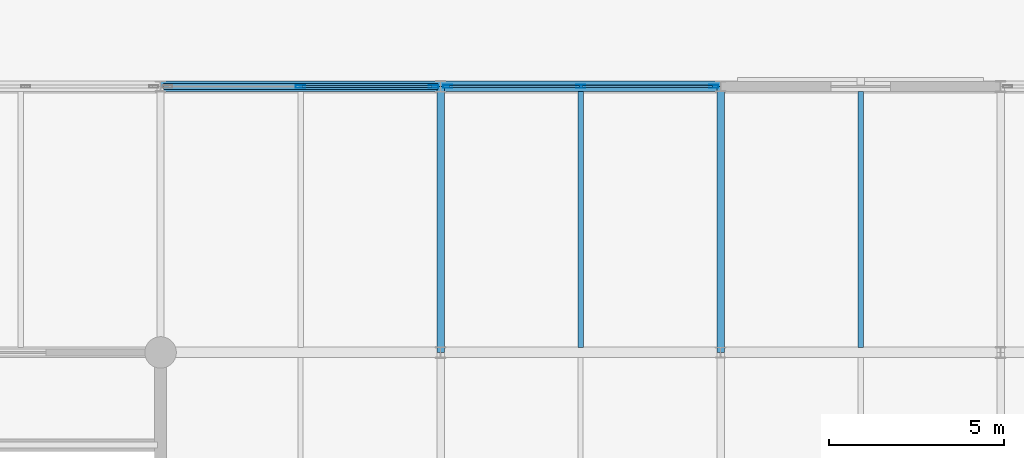
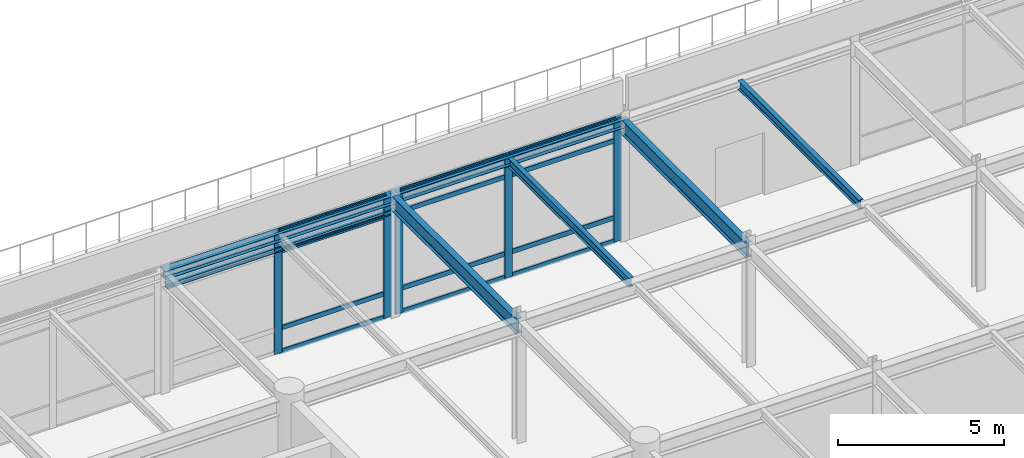
# One storey, part 26 of 43: 17 members, 7 beams, 2 elements without a shape of their own.
"""IFC4 building model written with IfcOpenShell, lengths in metres."""

from ifc_helpers import new_model, si_unit, direction, frame, origin, origin_2d, place, context, subcontext, project, spatial, hollow_rectangle, i_section, extrude, material, layer, layer_set, material_profile, profile_set, type_object, element, aggregate, save


model = new_model("IFC4")

# Units and contexts
model_context = context("Model", 3, precision=1e-05, world=origin(), true_north=direction((0.0, 1.0)))
body_context = subcontext(model_context, "Body", "Model", "MODEL_VIEW")
ifc_project = project(units=[si_unit("LENGTHUNIT", "METRE"), si_unit("AREAUNIT", "SQUARE_METRE"), si_unit("VOLUMEUNIT", "CUBIC_METRE"), si_unit("PLANEANGLEUNIT", "RADIAN"), si_unit("MASSUNIT", "GRAM", prefix="KILO")], contexts=[model_context])

# Site, building, storey
site_placement = place(None, origin())
site = spatial("IfcSite", under=ifc_project, at=site_placement, CompositionType="ELEMENT")
building_placement = place(site_placement, origin())
building = spatial("IfcBuilding", under=site, at=building_placement, Name="Shalkamar Park Central Library", CompositionType="ELEMENT")
storey_placement = place(building_placement, frame((0.0, 0.0, 15.60009765625)))
storey = spatial("IfcBuildingStorey", under=building, at=storey_placement, Name="L04", CompositionType="ELEMENT", Elevation=15.60009765625)

# Beams
ifc_material_1 = material(Name="Steel S355", Category="steel")
ifc_material_profile_1 = material_profile(ifc_material_1, i_section(OverallWidth=0.159912109375, OverallDepth=0.330078125, WebThickness=0.007568359375, FlangeThickness=0.011474609375, FilletRadius=0.01806640625, at=origin_2d()), Name="IPE 330")
ifc_profile_set_1 = profile_set([ifc_material_profile_1], Name="Steel S355")
beam_type_1 = type_object("IfcBeamType", Name="Composite Floor Joist IPE330", PredefinedType="JOIST", material=ifc_profile_set_1)
for number, where, z_axis, x_axis, name in (
    (1, (217.0, 308.548095703125, 4.31494140625), (0.0, 1.0, 0.0), (-1.0, 0.0, 0.0), "Composite Joist 13/K-1 (L04)"),
    (2, (225.0, 308.548095703125, 4.385009765625), (0.0, 1.0, 0.0), (-1.0, 0.0, 0.0), "Composite Joist 14/K-1 (L04)"),
):
    element("IfcBeam", number, at=place(storey_placement, frame(where, z_axis=z_axis, x_axis=x_axis)), inside=storey, type_object=beam_type_1, Name=name, PredefinedType="JOIST", context=body_context, shape_type="SweptSolid", body=[
        extrude(i_section(OverallWidth=0.159912109375, OverallDepth=0.330078125, WebThickness=0.007568359375, FlangeThickness=0.011474609375, FilletRadius=0.01806640625, at=origin_2d()), origin(), (0.0, 0.0, 1.0), 7.303955078125),
    ])

# Curtain wall, members
ifc_material_2 = material(Name="Thermally broken aluminium and triple low-e curtain wall", Category="aluminium")
ifc_layer_1 = layer(ifc_material_2, 0.27001953125)
ifc_layer_set_1 = layer_set([ifc_layer_1], Name="UnitisedCurtainWall_58")
curtain_wall_type_1 = type_object("IfcCurtainWallType", Name="Unitised Curtain Wall 58", PredefinedType="USERDEFINED", material=ifc_layer_set_1)
curtain_wall_1_placement = place(storey_placement, origin())
curtain_wall_1 = element("IfcCurtainWall", 3, at=curtain_wall_1_placement, inside=storey, type_object=curtain_wall_type_1, Name="Unitised Curtain Wall CW-L04-072", ObjectType="UNITISED CURTAIN WALL", PredefinedType="USERDEFINED")
ifc_material_3 = material(Name="Aluminium 6060-T66", Category="aluminium")
ifc_material_profile_2 = material_profile(ifc_material_3, hollow_rectangle(XDim=0.080078125, YDim=0.27001953125, WallThickness=0.0048828125, InnerFilletRadius=0.0048828125, OuterFilletRadius=0.007568359375, at=origin_2d()), Name="ALU 80x270x5")
ifc_profile_set_2 = profile_set([ifc_material_profile_2], Name="Aluminium 6060-T66")
member_type_1 = type_object("IfcMemberType", Name="Curtain Wall Mullion ALU80x270", PredefinedType="MULLION", material=ifc_profile_set_2)
member_1_placement = place(storey_placement, frame((208.9951171875, 316.0, 0.0), z_axis=(0.0, 0.0, 1.0), x_axis=(0.0, 1.0, 0.0)))
member_1 = element("IfcMember", 4, at=member_1_placement, type_object=member_type_1, Name="CW-58 mullion 2", PredefinedType="MULLION", context=body_context, shape_type="SweptSolid", body=[
    extrude(hollow_rectangle(XDim=0.080078125, YDim=0.27001953125, WallThickness=0.0048828125, InnerFilletRadius=0.0048828125, OuterFilletRadius=0.007568359375, at=origin_2d()), origin(), (0.0, 0.0, 1.0), 4.47998046875),
])
member_2_placement = place(storey_placement, frame((212.7958984375, 316.0, 0.0), z_axis=(0.0, 0.0, 1.0), x_axis=(0.0, 1.0, 0.0)))
member_2 = element("IfcMember", 5, at=member_2_placement, type_object=member_type_1, Name="CW-58 mullion 3", PredefinedType="MULLION", context=body_context, shape_type="SweptSolid", body=[
    extrude(hollow_rectangle(XDim=0.080078125, YDim=0.27001953125, WallThickness=0.0048828125, InnerFilletRadius=0.0048828125, OuterFilletRadius=0.007568359375, at=origin_2d()), origin(), (0.0, 0.0, 1.0), 4.47998046875),
])

ifc_layer_2 = layer(ifc_material_2, 0.264892578125)
ifc_layer_set_2 = layer_set([ifc_layer_2], Name="UnitisedCurtainWall_54")
curtain_wall_type_2 = type_object("IfcCurtainWallType", Name="Unitised Curtain Wall 54", PredefinedType="USERDEFINED", material=ifc_layer_set_2)
curtain_wall_2_placement = place(storey_placement, origin())
curtain_wall_2 = element("IfcCurtainWall", 6, at=curtain_wall_2_placement, inside=storey, type_object=curtain_wall_type_2, Name="Unitised Curtain Wall CW-L04-073", ObjectType="UNITISED CURTAIN WALL", PredefinedType="USERDEFINED")
ifc_material_profile_3 = material_profile(ifc_material_3, hollow_rectangle(XDim=0.0849609375, YDim=0.264892578125, WallThickness=0.0048828125, InnerFilletRadius=0.0048828125, OuterFilletRadius=0.007568359375, at=origin_2d()), Name="ALU 85x265x5")
ifc_profile_set_3 = profile_set([ifc_material_profile_3], Name="Aluminium 6060-T66")
member_type_2 = type_object("IfcMemberType", Name="Curtain Wall Mullion ALU85x265", PredefinedType="MULLION", material=ifc_profile_set_3)
member_3_placement = place(storey_placement, frame((213.20654296875, 316.0, 0.0), z_axis=(0.0, 0.0, 1.0), x_axis=(0.0, 1.0, 0.0)))
member_3 = element("IfcMember", 7, at=member_3_placement, type_object=member_type_2, Name="CW-54 mullion 1", PredefinedType="MULLION", context=body_context, shape_type="SweptSolid", body=[
    extrude(hollow_rectangle(XDim=0.0849609375, YDim=0.264892578125, WallThickness=0.0048828125, InnerFilletRadius=0.0048828125, OuterFilletRadius=0.007568359375, at=origin_2d()), origin(), (0.0, 0.0, 1.0), 4.47998046875),
])
member_4_placement = place(storey_placement, frame((217.0048828125, 316.0, 0.0), z_axis=(0.0, 0.0, 1.0), x_axis=(0.0, 1.0, 0.0)))
member_4 = element("IfcMember", 8, at=member_4_placement, type_object=member_type_2, Name="CW-54 mullion 2", PredefinedType="MULLION", context=body_context, shape_type="SweptSolid", body=[
    extrude(hollow_rectangle(XDim=0.0849609375, YDim=0.264892578125, WallThickness=0.0048828125, InnerFilletRadius=0.0048828125, OuterFilletRadius=0.007568359375, at=origin_2d()), origin(), (0.0, 0.0, 1.0), 4.47998046875),
])
member_5_placement = place(storey_placement, frame((220.803466796875, 316.0, 0.0), z_axis=(0.0, 0.0, 1.0), x_axis=(0.0, 1.0, 0.0)))
member_5 = element("IfcMember", 9, at=member_5_placement, type_object=member_type_2, Name="CW-54 mullion 3", PredefinedType="MULLION", context=body_context, shape_type="SweptSolid", body=[
    extrude(hollow_rectangle(XDim=0.0849609375, YDim=0.264892578125, WallThickness=0.0048828125, InnerFilletRadius=0.0048828125, OuterFilletRadius=0.007568359375, at=origin_2d()), origin(), (0.0, 0.0, 1.0), 4.47998046875),
])

# Member
ifc_material_profile_4 = material_profile(ifc_material_3, hollow_rectangle(XDim=0.06494140625, YDim=0.175048828125, WallThickness=0.00439453125, InnerFilletRadius=0.00439453125, OuterFilletRadius=0.0068359375, at=origin_2d()), Name="ALU 65x175x4.5")
ifc_profile_set_4 = profile_set([ifc_material_profile_4], Name="Aluminium 6060-T66")
member_type_3 = type_object("IfcMemberType", Name="Curtain Wall Transom ALU65x175", PredefinedType="USERDEFINED", material=ifc_profile_set_4)
member_6_placement = place(storey_placement, frame((209.034912109375, 316.0, 0.032470703125), z_axis=(1.0, 0.0, 0.0), x_axis=(0.0, 1.0, 0.0)))
member_6 = element("IfcMember", 10, at=member_6_placement, type_object=member_type_3, Name="CW-58 transom 2.1", ObjectType="TRANSOM", PredefinedType="USERDEFINED", context=body_context, shape_type="SweptSolid", body=[
    extrude(hollow_rectangle(XDim=0.06494140625, YDim=0.175048828125, WallThickness=0.00439453125, InnerFilletRadius=0.00439453125, OuterFilletRadius=0.0068359375, at=origin_2d()), origin(), (0.0, 0.0, 1.0), 3.72119140625),
])

member_7_placement = place(storey_placement, frame((209.034912109375, 316.0, 0.89990234375), z_axis=(1.0, 0.0, 0.0), x_axis=(0.0, 1.0, 0.0)))
member_7 = element("IfcMember", 11, at=member_7_placement, type_object=member_type_3, Name="CW-58 transom 2.2", ObjectType="TRANSOM", PredefinedType="USERDEFINED", context=body_context, shape_type="SweptSolid", body=[
    extrude(hollow_rectangle(XDim=0.06494140625, YDim=0.175048828125, WallThickness=0.00439453125, InnerFilletRadius=0.00439453125, OuterFilletRadius=0.0068359375, at=origin_2d()), origin(), (0.0, 0.0, 1.0), 3.72119140625),
])

member_8_placement = place(storey_placement, frame((209.034912109375, 316.0, 3.72998046875), z_axis=(1.0, 0.0, 0.0), x_axis=(0.0, 1.0, 0.0)))
member_8 = element("IfcMember", 12, at=member_8_placement, type_object=member_type_3, Name="CW-58 transom 2.3", ObjectType="TRANSOM", PredefinedType="USERDEFINED", context=body_context, shape_type="SweptSolid", body=[
    extrude(hollow_rectangle(XDim=0.06494140625, YDim=0.175048828125, WallThickness=0.00439453125, InnerFilletRadius=0.00439453125, OuterFilletRadius=0.0068359375, at=origin_2d()), origin(), (0.0, 0.0, 1.0), 3.72119140625),
])

member_9_placement = place(storey_placement, frame((209.034912109375, 316.0, 4.447509765625), z_axis=(1.0, 0.0, 0.0), x_axis=(0.0, 1.0, 0.0)))
member_9 = element("IfcMember", 13, at=member_9_placement, type_object=member_type_3, Name="CW-58 transom 2.4", ObjectType="TRANSOM", PredefinedType="USERDEFINED", context=body_context, shape_type="SweptSolid", body=[
    extrude(hollow_rectangle(XDim=0.06494140625, YDim=0.175048828125, WallThickness=0.00439453125, InnerFilletRadius=0.00439453125, OuterFilletRadius=0.0068359375, at=origin_2d()), origin(), (0.0, 0.0, 1.0), 3.72119140625),
])

aggregate(curtain_wall_1, [member_1, member_2, member_6, member_7, member_8, member_9])

ifc_material_profile_5 = material_profile(ifc_material_3, hollow_rectangle(XDim=0.070068359375, YDim=0.179931640625, WallThickness=0.00439453125, InnerFilletRadius=0.00439453125, OuterFilletRadius=0.0068359375, at=origin_2d()), Name="ALU 70x180x4.5")
ifc_profile_set_5 = profile_set([ifc_material_profile_5], Name="Aluminium 6060-T66")
member_type_4 = type_object("IfcMemberType", Name="Curtain Wall Transom ALU70x180", PredefinedType="USERDEFINED", material=ifc_profile_set_5)
member_10_placement = place(storey_placement, frame((213.2490234375, 316.0, 0.034912109375), z_axis=(1.0, 0.0, 0.0), x_axis=(0.0, 1.0, 0.0)))
member_10 = element("IfcMember", 14, at=member_10_placement, type_object=member_type_4, Name="CW-54 transom 1.1", ObjectType="TRANSOM", PredefinedType="USERDEFINED", context=body_context, shape_type="SweptSolid", body=[
    extrude(hollow_rectangle(XDim=0.070068359375, YDim=0.179931640625, WallThickness=0.00439453125, InnerFilletRadius=0.00439453125, OuterFilletRadius=0.0068359375, at=origin_2d()), origin(), (0.0, 0.0, 1.0), 3.71337890625),
])

member_11_placement = place(storey_placement, frame((213.2490234375, 316.0, 0.89990234375), z_axis=(1.0, 0.0, 0.0), x_axis=(0.0, 1.0, 0.0)))
member_11 = element("IfcMember", 15, at=member_11_placement, type_object=member_type_4, Name="CW-54 transom 1.2", ObjectType="TRANSOM", PredefinedType="USERDEFINED", context=body_context, shape_type="SweptSolid", body=[
    extrude(hollow_rectangle(XDim=0.070068359375, YDim=0.179931640625, WallThickness=0.00439453125, InnerFilletRadius=0.00439453125, OuterFilletRadius=0.0068359375, at=origin_2d()), origin(), (0.0, 0.0, 1.0), 3.71337890625),
])

member_12_placement = place(storey_placement, frame((213.2490234375, 316.0, 3.72998046875), z_axis=(1.0, 0.0, 0.0), x_axis=(0.0, 1.0, 0.0)))
member_12 = element("IfcMember", 16, at=member_12_placement, type_object=member_type_4, Name="CW-54 transom 1.3", ObjectType="TRANSOM", PredefinedType="USERDEFINED", context=body_context, shape_type="SweptSolid", body=[
    extrude(hollow_rectangle(XDim=0.070068359375, YDim=0.179931640625, WallThickness=0.00439453125, InnerFilletRadius=0.00439453125, OuterFilletRadius=0.0068359375, at=origin_2d()), origin(), (0.0, 0.0, 1.0), 3.71337890625),
])

member_13_placement = place(storey_placement, frame((213.2490234375, 316.0, 4.44482421875), z_axis=(1.0, 0.0, 0.0), x_axis=(0.0, 1.0, 0.0)))
member_13 = element("IfcMember", 17, at=member_13_placement, type_object=member_type_4, Name="CW-54 transom 1.4", ObjectType="TRANSOM", PredefinedType="USERDEFINED", context=body_context, shape_type="SweptSolid", body=[
    extrude(hollow_rectangle(XDim=0.070068359375, YDim=0.179931640625, WallThickness=0.00439453125, InnerFilletRadius=0.00439453125, OuterFilletRadius=0.0068359375, at=origin_2d()), origin(), (0.0, 0.0, 1.0), 3.71337890625),
])

member_14_placement = place(storey_placement, frame((217.047607421875, 316.0, 0.034912109375), z_axis=(1.0, 0.0, 0.0), x_axis=(0.0, 1.0, 0.0)))
member_14 = element("IfcMember", 18, at=member_14_placement, type_object=member_type_4, Name="CW-54 transom 2.1", ObjectType="TRANSOM", PredefinedType="USERDEFINED", context=body_context, shape_type="SweptSolid", body=[
    extrude(hollow_rectangle(XDim=0.070068359375, YDim=0.179931640625, WallThickness=0.00439453125, InnerFilletRadius=0.00439453125, OuterFilletRadius=0.0068359375, at=origin_2d()), origin(), (0.0, 0.0, 1.0), 3.71337890625),
])

member_15_placement = place(storey_placement, frame((217.047607421875, 316.0, 0.89990234375), z_axis=(1.0, 0.0, 0.0), x_axis=(0.0, 1.0, 0.0)))
member_15 = element("IfcMember", 19, at=member_15_placement, type_object=member_type_4, Name="CW-54 transom 2.2", ObjectType="TRANSOM", PredefinedType="USERDEFINED", context=body_context, shape_type="SweptSolid", body=[
    extrude(hollow_rectangle(XDim=0.070068359375, YDim=0.179931640625, WallThickness=0.00439453125, InnerFilletRadius=0.00439453125, OuterFilletRadius=0.0068359375, at=origin_2d()), origin(), (0.0, 0.0, 1.0), 3.71337890625),
])

member_16_placement = place(storey_placement, frame((217.047607421875, 316.0, 3.72998046875), z_axis=(1.0, 0.0, 0.0), x_axis=(0.0, 1.0, 0.0)))
member_16 = element("IfcMember", 20, at=member_16_placement, type_object=member_type_4, Name="CW-54 transom 2.3", ObjectType="TRANSOM", PredefinedType="USERDEFINED", context=body_context, shape_type="SweptSolid", body=[
    extrude(hollow_rectangle(XDim=0.070068359375, YDim=0.179931640625, WallThickness=0.00439453125, InnerFilletRadius=0.00439453125, OuterFilletRadius=0.0068359375, at=origin_2d()), origin(), (0.0, 0.0, 1.0), 3.71337890625),
])

member_17_placement = place(storey_placement, frame((217.047607421875, 316.0, 4.44482421875), z_axis=(1.0, 0.0, 0.0), x_axis=(0.0, 1.0, 0.0)))
member_17 = element("IfcMember", 21, at=member_17_placement, type_object=member_type_4, Name="CW-54 transom 2.4", ObjectType="TRANSOM", PredefinedType="USERDEFINED", context=body_context, shape_type="SweptSolid", body=[
    extrude(hollow_rectangle(XDim=0.070068359375, YDim=0.179931640625, WallThickness=0.00439453125, InnerFilletRadius=0.00439453125, OuterFilletRadius=0.0068359375, at=origin_2d()), origin(), (0.0, 0.0, 1.0), 3.71337890625),
])

aggregate(curtain_wall_2, [member_3, member_4, member_5, member_10, member_11, member_12, member_13, member_14, member_15, member_16, member_17])

# Beams
ifc_material_profile_6 = material_profile(ifc_material_1, i_section(OverallWidth=0.179931640625, OverallDepth=0.1708984375, WebThickness=0.006103515625, FlangeThickness=0.009521484375, FilletRadius=0.014892578125, at=origin_2d()), Name="HEA 180")
ifc_profile_set_6 = profile_set([ifc_material_profile_6], Name="Steel S355")
beam_type_2 = type_object("IfcBeamType", Name="Opening Lintel Beam HEA180", PredefinedType="LINTEL", material=ifc_profile_set_6)
beam_placement = place(storey_placement, frame((205.080078125, 316.0, 3.849853515625), z_axis=(1.0, 0.0, 0.0), x_axis=(0.0, 1.0, 0.0)))
element("IfcBeam", 22, at=beam_placement, inside=storey, type_object=beam_type_2, Name="Opening Lintel L04-36", PredefinedType="LINTEL", context=body_context, shape_type="SweptSolid", body=[
    extrude(i_section(OverallWidth=0.179931640625, OverallDepth=0.1708984375, WebThickness=0.006103515625, FlangeThickness=0.009521484375, FilletRadius=0.014892578125, at=origin_2d()), origin(), (0.0, 0.0, 1.0), 7.83984375),
])
ifc_material_profile_7 = material_profile(ifc_material_1, i_section(OverallWidth=0.300048828125, OverallDepth=0.31005859375, WebThickness=0.009033203125, FlangeThickness=0.015380859375, FilletRadius=0.027099609375, at=origin_2d()), Name="HEA 320")
ifc_profile_set_7 = profile_set([ifc_material_profile_7], Name="Steel S355")
beam_type_3 = type_object("IfcBeamType", Name="Perimeter Spandrel Beam HEA320", PredefinedType="SPANDREL", material=ifc_profile_set_7)
for number, where, z_axis, x_axis, name in (
    (23, (205.0, 316.0, 4.324951171875), (1.0, 0.0, 0.0), (0.0, 1.0, 0.0), "Beam L:12-13 (L04)"),
    (24, (213.0, 316.0, 4.324951171875), (1.0, 0.0, 0.0), (0.0, 1.0, 0.0), "Beam L:13-14 (L04)"),
):
    element("IfcBeam", number, at=place(storey_placement, frame(where, z_axis=z_axis, x_axis=x_axis)), inside=storey, type_object=beam_type_3, Name=name, PredefinedType="SPANDREL", context=body_context, shape_type="SweptSolid", body=[
        extrude(i_section(OverallWidth=0.300048828125, OverallDepth=0.31005859375, WebThickness=0.009033203125, FlangeThickness=0.015380859375, FilletRadius=0.027099609375, at=origin_2d()), origin(), (0.0, 0.0, 1.0), 8.0),
    ])
ifc_material_profile_8 = material_profile(ifc_material_1, i_section(OverallWidth=0.2099609375, OverallDepth=0.550048828125, WebThickness=0.010986328125, FlangeThickness=0.01708984375, FilletRadius=0.02392578125, at=origin_2d()), Name="IPE 550")
ifc_profile_set_8 = profile_set([ifc_material_profile_8], Name="Steel S355")
beam_type_4 = type_object("IfcBeamType", Name="Primary Girder IPE550", PredefinedType="BEAM", material=ifc_profile_set_8)
for number, where, z_axis, x_axis, name in (
    (25, (213.0, 308.39990234375, 4.204833984375), (0.0, 1.0, 0.0), (-1.0, 0.0, 0.0), "Beam 13:K-L (L04)"),
    (26, (221.0, 308.39990234375, 4.204833984375), (0.0, 1.0, 0.0), (-1.0, 0.0, 0.0), "Beam 14:K-L (L04)"),
):
    element("IfcBeam", number, at=place(storey_placement, frame(where, z_axis=z_axis, x_axis=x_axis)), inside=storey, type_object=beam_type_4, Name=name, PredefinedType="BEAM", context=body_context, shape_type="SweptSolid", body=[
        extrude(i_section(OverallWidth=0.2099609375, OverallDepth=0.550048828125, WebThickness=0.010986328125, FlangeThickness=0.01708984375, FilletRadius=0.02392578125, at=origin_2d()), origin(), (0.0, 0.0, 1.0), 7.60009765625),
    ])

save(model, "model.ifc")
